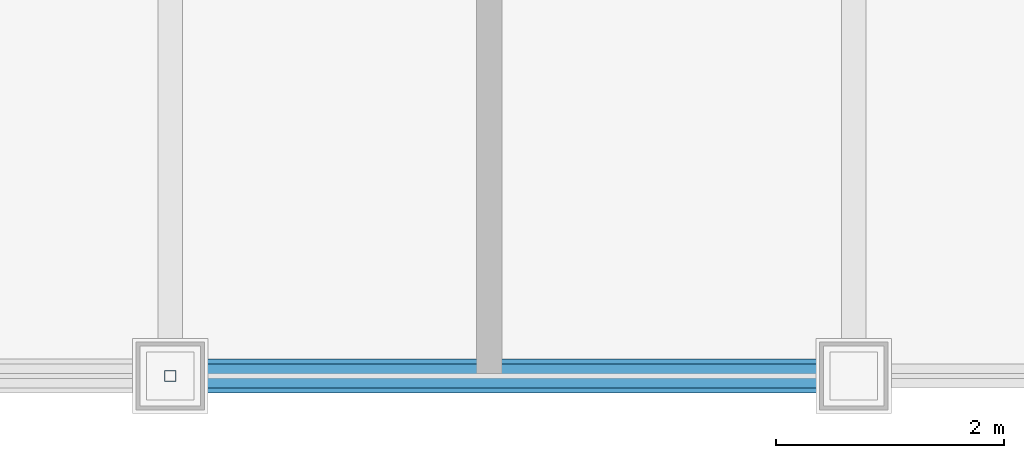
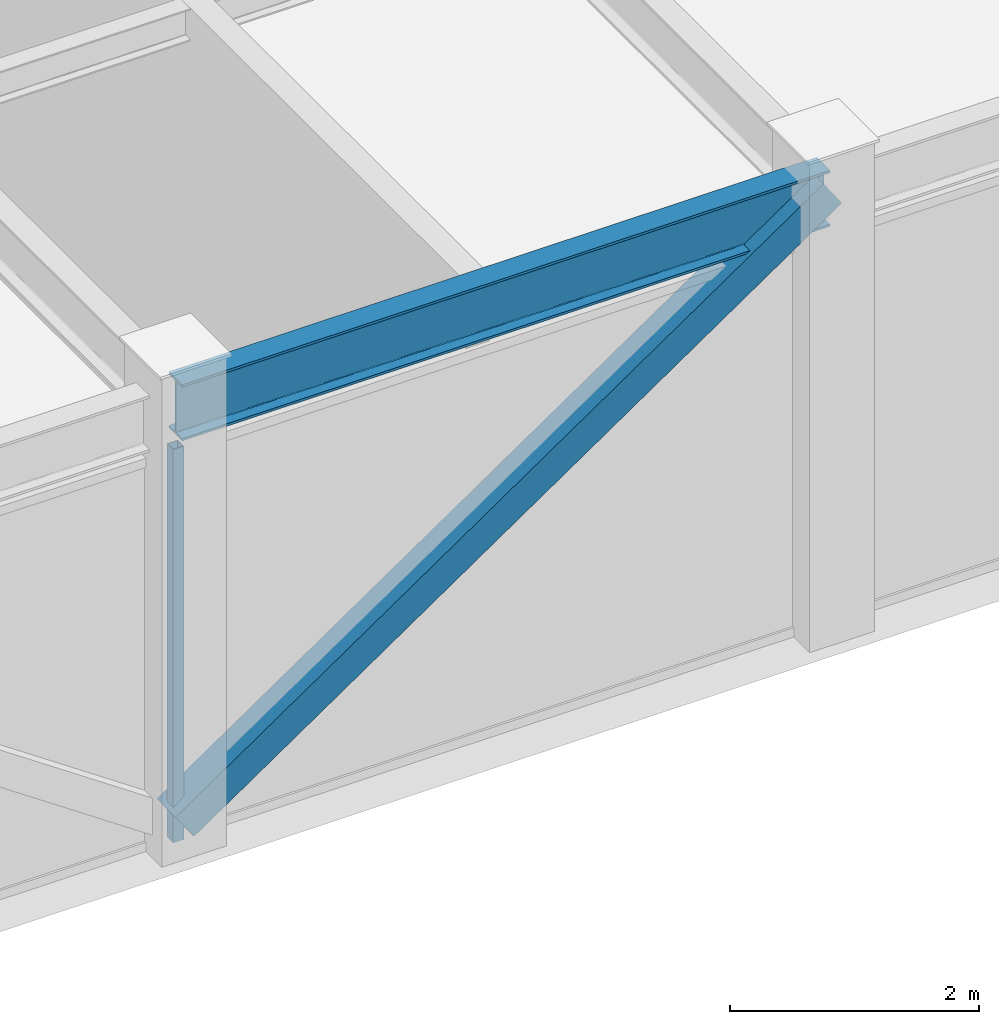
# One storey, part 4 of 27: 2 members, 1 beam, 1 element without a shape of its own.
"""IFC4 building model written with IfcOpenShell, lengths in metres."""

import ifcopenshell
import ifcopenshell.guid

model = None  # the IFC model being written
_history = None  # IfcOwnerHistory: only IFC2X3 demands one
_inside = {}  # id of a spatial element -> (the spatial element, [elements in it])
_under = {}  # id of a project, library or spatial element -> (it, [spatial elements below it])
_declared = {}  # id of a project -> (the project, [libraries it declares])
_typed = {}  # id of a type object -> (the type object, [elements of that type])
_made_of = {}  # id of a material, layer set ... -> (it, [elements and type objects made of it])


def new_model(schema):
    """Start an empty IFC model of exactly this schema.

    Asked for "IFC4X3", IfcOpenShell would pick the latest addendum, in which some entities
    have other attributes; the version numbers below select the first issue.
    IFC2X3 requires an IfcOwnerHistory on every rooted entity: one is made here for all.
    """
    global model, _history
    if schema == "IFC4X3":
        model = ifcopenshell.file(schema_version=(4, 3, 0, 0))
    else:
        model = ifcopenshell.file(schema=schema)
    _inside.clear()
    _under.clear()
    _declared.clear()
    _typed.clear()
    _made_of.clear()
    _history = None
    if model.schema == "IFC2X3":
        org = make("IfcOrganization", Name="unknown")
        user = make(
            "IfcPersonAndOrganization",
            ThePerson=make("IfcPerson", FamilyName="unknown"),
            TheOrganization=org,
        )
        app = make(
            "IfcApplication",
            ApplicationDeveloper=org,
            Version="unknown",
            ApplicationFullName="unknown",
            ApplicationIdentifier="unknown",
        )
        _history = make(
            "IfcOwnerHistory",
            OwningUser=user,
            OwningApplication=app,
            ChangeAction="ADDED",
            CreationDate=0,
        )
    return model


def make(cls, **values):
    """One entity of the class cls with the attributes given. An attribute that is None is left unset."""
    return model.create_entity(
        cls, **{name: value for name, value in values.items() if value is not None}
    )


def rooted(cls, **values):
    """An entity with a GlobalId (a new one), such as an element, a storey or a relation."""
    return make(cls, GlobalId=ifcopenshell.guid.new(), OwnerHistory=_history, **values)


def si_unit(unit_type, name, prefix=None):
    """IfcSIUnit, for example si_unit("LENGTHUNIT", "METRE", prefix="MILLI")."""
    return make("IfcSIUnit", UnitType=unit_type, Prefix=prefix, Name=name)


def assignment(units):
    """IfcUnitAssignment: the units of a project."""
    return None if units is None else make("IfcUnitAssignment", Units=units)


def point(xyz):
    """IfcCartesianPoint."""
    return None if xyz is None else make("IfcCartesianPoint", Coordinates=xyz)


def direction(xyz):
    """IfcDirection."""
    return None if xyz is None else make("IfcDirection", DirectionRatios=xyz)


def frame(location, z_axis=None, x_axis=None):
    """IfcAxis2Placement3D, a coordinate frame: its origin and axes. An axis left out is left unset."""
    return make(
        "IfcAxis2Placement3D",
        Location=point(location),
        Axis=direction(z_axis),
        RefDirection=direction(x_axis),
    )


def frame_2d(location, x_axis=None):
    """IfcAxis2Placement2D, a coordinate frame in the plane: its origin and x axis."""
    return make(
        "IfcAxis2Placement2D", Location=point(location), RefDirection=direction(x_axis)
    )


def origin():
    """The frame at (0, 0, 0) with its axes left unset."""
    return frame((0.0, 0.0, 0.0))


def origin_2d():
    """The frame at (0, 0) in the plane with its x axis left unset."""
    return frame_2d((0.0, 0.0))


def place(relative_to, where):
    """IfcLocalPlacement: puts the frame where relative to a parent placement (None: the world)."""
    return make(
        "IfcLocalPlacement", PlacementRelTo=relative_to, RelativePlacement=where
    )


def context(
    kind, dimensions, precision=None, world=None, true_north=None, identifier=None
):
    """IfcGeometricRepresentationContext, for example the 3D "Model" context."""
    return make(
        "IfcGeometricRepresentationContext",
        ContextIdentifier=identifier,
        ContextType=kind,
        CoordinateSpaceDimension=dimensions,
        Precision=precision,
        WorldCoordinateSystem=world,
        TrueNorth=true_north,
    )


def subcontext(parent, identifier, kind, view, scale=None):
    """IfcGeometricRepresentationSubContext, for example "Body" below "Model"."""
    return make(
        "IfcGeometricRepresentationSubContext",
        ContextIdentifier=identifier,
        ContextType=kind,
        ParentContext=parent,
        TargetScale=scale,
        TargetView=view,
    )


def project(units=None, contexts=None):
    """IfcProject with its units and contexts."""
    return rooted(
        "IfcProject",
        Name="project",
        RepresentationContexts=contexts,
        UnitsInContext=assignment(units),
    )


def spatial(cls, under=None, at=None, **own):
    """A site, building, storey or space (cls), placed at a placement, below another one or the project."""
    s = rooted(cls, ObjectPlacement=at, **own)
    if under is not None:
        _under.setdefault(under.id(), (under, []))[1].append(s)
    return s


def profile(cls, at=None, kind="AREA", **sizes):
    """A parametric profile (cls). Its sizes go by their IFC names, for example OverallWidth=200.0."""
    return make(cls, ProfileType=kind, Position=at, **sizes)


def hollow_rectangle(**sizes):
    """IfcRectangleHollowProfileDef."""
    return profile("IfcRectangleHollowProfileDef", **sizes)


def i_section(**sizes):
    """IfcIShapeProfileDef."""
    return profile("IfcIShapeProfileDef", **sizes)


def extrude(swept, where, along, depth):
    """IfcExtrudedAreaSolid: the profile swept, set in the frame where, extruded along a direction by depth."""
    return make(
        "IfcExtrudedAreaSolid",
        SweptArea=swept,
        Position=where,
        ExtrudedDirection=direction(along),
        Depth=depth,
    )


def shape(context_of_items, identifier, shape_type, items):
    """IfcShapeRepresentation: the items that make up one representation, for example the "Body"."""
    return make(
        "IfcShapeRepresentation",
        ContextOfItems=context_of_items,
        RepresentationIdentifier=identifier,
        RepresentationType=shape_type,
        Items=items,
    )


def source(mapping_origin, context_of_items, identifier, shape_type, items):
    """IfcRepresentationMap: a shape defined once, which mapped items show again and again."""
    return make(
        "IfcRepresentationMap",
        MappingOrigin=mapping_origin,
        MappedRepresentation=shape(context_of_items, identifier, shape_type, items),
    )


def transform(
    local_origin,
    x_axis=None,
    y_axis=None,
    z_axis=None,
    scale=None,
    scale2=None,
    scale3=None,
    uniform=True,
):
    """IfcCartesianTransformationOperator3D, or its non-uniform kind. x_axis, y_axis, z_axis: its Axis1, 2, 3."""
    if uniform:
        return make(
            "IfcCartesianTransformationOperator3D",
            Axis1=direction(x_axis),
            Axis2=direction(y_axis),
            LocalOrigin=point(local_origin),
            Scale=scale,
            Axis3=direction(z_axis),
        )
    return make(
        "IfcCartesianTransformationOperator3DnonUniform",
        Axis1=direction(x_axis),
        Axis2=direction(y_axis),
        LocalOrigin=point(local_origin),
        Scale=scale,
        Axis3=direction(z_axis),
        Scale2=scale2,
        Scale3=scale3,
    )


def mapped(mapping_source, mapping_target):
    """IfcMappedItem: shows the shape of a source again, moved by a transform."""
    return make(
        "IfcMappedItem", MappingSource=mapping_source, MappingTarget=mapping_target
    )


def material(Name=None, Category=None):
    """IfcMaterial."""
    return make("IfcMaterial", Name=Name, Category=Category)


def material_profile(
    of_material, cross_section, Name=None, Category=None, Priority=None
):
    """IfcMaterialProfile: a cross section and its material."""
    return make(
        "IfcMaterialProfile",
        Name=Name,
        Material=of_material,
        Profile=cross_section,
        Priority=Priority,
        Category=Category,
    )


def profile_set(profiles, Name=None, composite=None):
    """IfcMaterialProfileSet."""
    return make(
        "IfcMaterialProfileSet",
        Name=Name,
        MaterialProfiles=profiles,
        CompositeProfile=composite,
    )


def made_of(thing, what):
    """Note that an element or type object is made of a material, layer set ...; save() writes the relation."""
    if what is not None:
        _made_of.setdefault(what.id(), (what, []))[1].append(thing)
    return thing


def type_object(cls, material=None, **own):
    """A type object (cls), such as IfcWallType, which elements share."""
    return made_of(rooted(cls, **own), material)


def element(
    cls,
    number,
    at=None,
    inside=None,
    cuts=None,
    type_object=None,
    material=None,
    context=None,
    identifier="Body",
    shape_type=None,
    held_by="IfcProductDefinitionShape",
    body=None,
    shapes=None,
    **own,
):
    """One element of the class cls, such as IfcWall. Its Tag is "e" and its number.

    at: its placement. inside: the storey or other place that contains it. cuts: it is an
    opening in that element (IfcRelVoidsElement). A single representation is given by context,
    identifier, shape_type and body (its items); several are given by shapes. held_by: the class
    of the entity that holds the representations. save() writes the other relations.
    """
    e = rooted(cls, Tag="e%d" % number, ObjectPlacement=at, **own)
    if body is not None:
        shapes = [shape(context, identifier, shape_type, body)]
    if shapes is not None:
        e.Representation = make(held_by, Representations=shapes)
    if inside is not None:
        _inside.setdefault(inside.id(), (inside, []))[1].append(e)
    if cuts is not None:
        rooted(
            "IfcRelVoidsElement", RelatingBuildingElement=cuts, RelatedOpeningElement=e
        )
    if type_object is not None:
        _typed.setdefault(type_object.id(), (type_object, []))[1].append(e)
    return made_of(e, material)


def aggregate(whole, parts):
    """IfcRelAggregates: a whole, such as a stair, and the parts it consists of."""
    return rooted("IfcRelAggregates", RelatingObject=whole, RelatedObjects=parts)


def save(model, path):
    """Write the relations noted so far, then the file.

    IfcRelAggregates (storeys below a building ...), IfcRelContainedInSpatialStructure (elements
    in a storey), IfcRelDefinesByType, IfcRelAssociatesMaterial and IfcRelDeclares: one each for
    every whole, place, type object, material and project.
    """
    for whole, parts in _under.values():
        aggregate(whole, parts)
    for where, things in _inside.values():
        rooted(
            "IfcRelContainedInSpatialStructure",
            RelatedElements=things,
            RelatingStructure=where,
        )
    for kind, things in _typed.values():
        rooted("IfcRelDefinesByType", RelatedObjects=things, RelatingType=kind)
    for what, things in _made_of.values():
        rooted("IfcRelAssociatesMaterial", RelatedObjects=things, RelatingMaterial=what)
    for by, libraries in _declared.values():
        rooted("IfcRelDeclares", RelatingContext=by, RelatedDefinitions=libraries)
    model.write(path)


model = new_model("IFC4")

# Units and contexts
model_context = context("Model", 3, precision=1e-05, world=origin(), true_north=direction((0.0, 1.0)))
body_context = subcontext(model_context, "Body", "Model", "MODEL_VIEW")
ifc_project = project(units=[si_unit("LENGTHUNIT", "METRE"), si_unit("AREAUNIT", "SQUARE_METRE"), si_unit("VOLUMEUNIT", "CUBIC_METRE"), si_unit("PLANEANGLEUNIT", "RADIAN"), si_unit("MASSUNIT", "GRAM", prefix="KILO")], contexts=[model_context])

# Site, building, storey
site_placement = place(None, origin())
site = spatial("IfcSite", under=ifc_project, at=site_placement, CompositionType="ELEMENT")
building_placement = place(site_placement, origin())
building = spatial("IfcBuilding", under=site, at=building_placement, Name="Khorayat Bourse Tower", CompositionType="ELEMENT")
storey_placement = place(building_placement, frame((0.0, 0.0, 399.5)))
storey = spatial("IfcBuildingStorey", under=building, at=storey_placement, Name="L94", CompositionType="ELEMENT", Elevation=399.5)

# Beam
ifc_material_1 = material(Name="Steel ASTM A992 Grade 50", Category="steel")
ifc_material_profile_1 = material_profile(ifc_material_1, i_section(OverallWidth=0.214111328125, OverallDepth=0.549072265625, WebThickness=0.0146484375, FlangeThickness=0.023681640625, FilletRadius=0.013916015625, at=origin_2d()), Name="W530X138")
ifc_profile_set_1 = profile_set([ifc_material_profile_1], Name="Steel ASTM A992 Grade 50")
beam_type = type_object("IfcBeamType", Name="BM-SPAN-530", PredefinedType="SPANDREL", material=ifc_profile_set_1)
shared_shape_1 = source(origin(), body_context, "Body", "SweptSolid", [
    extrude(i_section(OverallWidth=0.214111328125, OverallDepth=0.549072265625, WebThickness=0.0146484375, FlangeThickness=0.023681640625, FilletRadius=0.013916015625, at=origin_2d()), origin(), (0.0, 0.0, 1.0), 6.0),
])
beam_placement = place(storey_placement, frame((0.0, -24.0, 4.2255859375), z_axis=(1.0, 0.0, 0.0), x_axis=(0.0, 1.0, 0.0)))
element("IfcBeam", 1, at=beam_placement, inside=storey, type_object=beam_type, Name="L94 BM-SPAN-530 BM-L94-SPN-027", PredefinedType="SPANDREL", context=body_context, shape_type="MappedRepresentation", body=[
    mapped(shared_shape_1, transform((0.0, 0.0, 0.0), scale=1.0)),
])

# Member
ifc_material_2 = material(Name="Steel EN 10025-2 S355J2", Category="steel")
ifc_material_profile_2 = material_profile(ifc_material_2, hollow_rectangle(XDim=0.300048828125, YDim=0.300048828125, WallThickness=0.01611328125, at=origin_2d()), Name="HSS 300x300x16")
ifc_profile_set_2 = profile_set([ifc_material_profile_2], Name="Steel EN 10025-2 S355J2")
member_type_1 = type_object("IfcMemberType", Name="MBR-CROWN-300", PredefinedType="USERDEFINED", material=ifc_profile_set_2)
shared_shape_2 = source(origin(), body_context, "Body", "SweptSolid", [
    extrude(hollow_rectangle(XDim=0.300048828125, YDim=0.300048828125, WallThickness=0.01611328125, at=origin_2d()), origin(), (0.0, 0.0, 1.0), 7.26708984375),
])
member_1_placement = place(storey_placement, frame((0.0, -24.0, 0.199951171875), z_axis=(0.825638381691, 0.0, 0.564199665614), x_axis=(0.0, 1.0, 0.0)))
element("IfcMember", 2, at=member_1_placement, inside=storey, type_object=member_type_1, Name="L94 Lantern Crown Frame Member 03", ObjectType="CROWN FRAME", PredefinedType="USERDEFINED", context=body_context, shape_type="MappedRepresentation", body=[
    mapped(shared_shape_2, transform((0.0, 0.0, 0.0), scale=1.0)),
])

# Curtain wall, member
ifc_material_3 = material(Name="Aluminium EN AW-6063 T6", Category="aluminium")
curtain_wall_type = type_object("IfcCurtainWallType", Name="CW-SYS-07", PredefinedType="NOTDEFINED", material=ifc_material_3)
curtain_wall_placement = place(storey_placement, origin())
curtain_wall = element("IfcCurtainWall", 3, at=curtain_wall_placement, inside=storey, type_object=curtain_wall_type, Name="L94 Curtain Wall CW-L94-S1", PredefinedType="NOTDEFINED")
ifc_material_profile_3 = material_profile(ifc_material_3, hollow_rectangle(XDim=0.10009765625, YDim=0.10009765625, WallThickness=0.0048828125, at=origin_2d()), Name="ALU 100x100x5")
ifc_profile_set_3 = profile_set([ifc_material_profile_3], Name="Aluminium EN AW-6063 T6")
member_type_2 = type_object("IfcMemberType", Name="CWM-LANTERN-100", PredefinedType="MULLION", material=ifc_profile_set_3)
shared_shape_3 = source(origin(), body_context, "Body", "SweptSolid", [
    extrude(hollow_rectangle(XDim=0.10009765625, YDim=0.10009765625, WallThickness=0.0048828125, at=origin_2d()), origin(), (0.0, 0.0, 1.0), 3.85009765625),
])
member_2_placement = place(storey_placement, frame((0.0, -24.0, 0.0), z_axis=(0.0, 0.0, 1.0), x_axis=(0.0, 1.0, 0.0)))
member_2 = element("IfcMember", 4, at=member_2_placement, type_object=member_type_2, Name="CW-L94-S1 Vertical Mullion 2", PredefinedType="MULLION", context=body_context, shape_type="MappedRepresentation", body=[
    mapped(shared_shape_3, transform((0.0, 0.0, 0.0), scale=1.0)),
])
aggregate(curtain_wall, [member_2])

save(model, "model.ifc")
